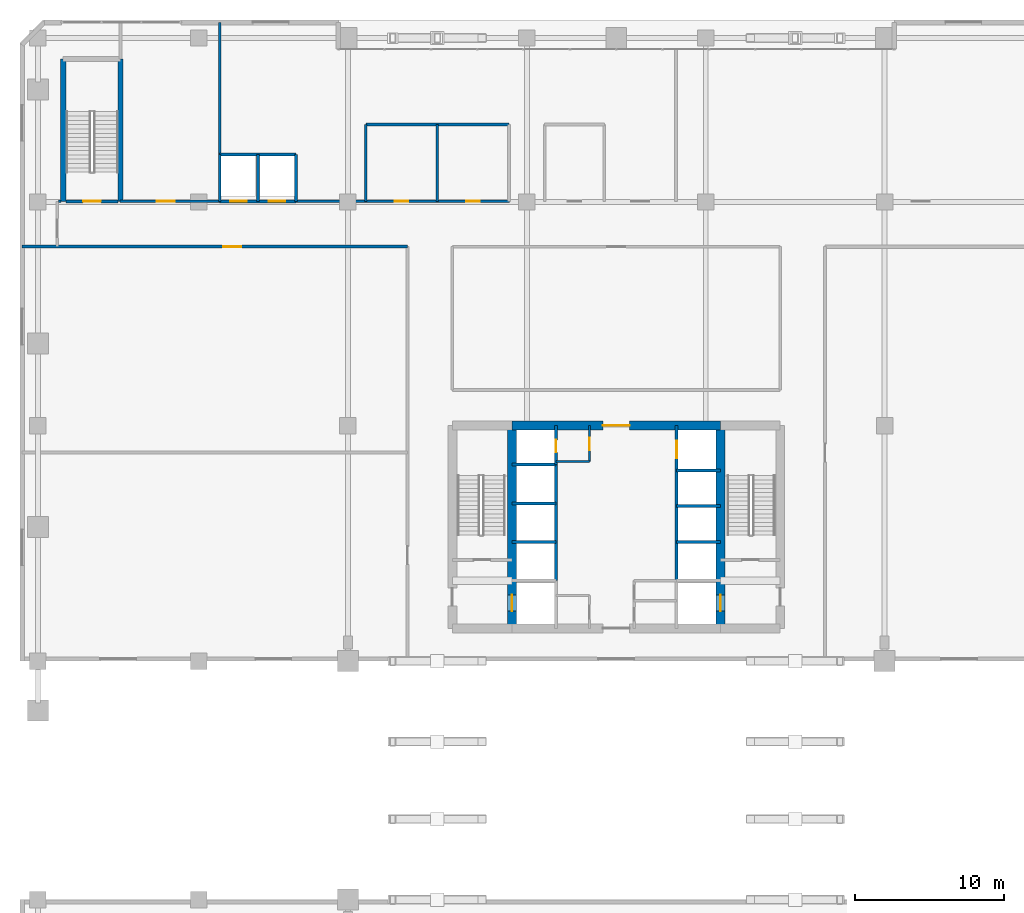
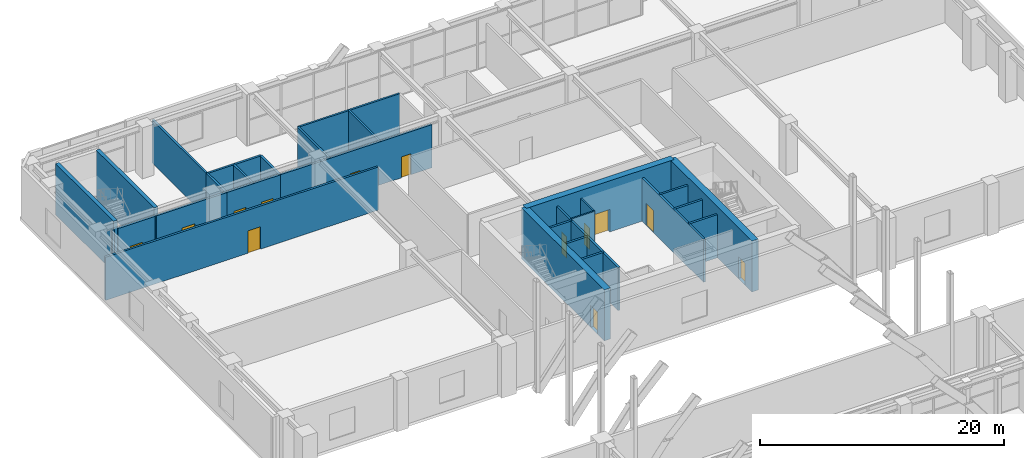
# One storey, part 23 of 28: 30 walls, 13 doors, 13 openings.
"""IFC4 building model written with IfcOpenShell, lengths in metres."""

from ifc_helpers import new_model, si_unit, direction, frame, frame_2d, origin, place, context, subcontext, project, spatial, rectangle, extrude, material, layer, layer_set, type_object, element, fill, save


model = new_model("IFC4")

# Units and contexts
model_context = context("Model", 3, precision=1e-05, world=origin(), true_north=direction((0.0, 1.0)))
body_context = subcontext(model_context, "Body", "Model", "MODEL_VIEW")
ifc_project = project(units=[si_unit("LENGTHUNIT", "METRE"), si_unit("AREAUNIT", "SQUARE_METRE"), si_unit("VOLUMEUNIT", "CUBIC_METRE"), si_unit("PLANEANGLEUNIT", "RADIAN"), si_unit("MASSUNIT", "GRAM", prefix="KILO")], contexts=[model_context])

# Site, building, storey
site_placement = place(None, origin())
site = spatial("IfcSite", under=ifc_project, at=site_placement, CompositionType="ELEMENT")
building_placement = place(site_placement, origin())
building = spatial("IfcBuilding", under=site, at=building_placement, Name="Sarneth Arch Tower", CompositionType="ELEMENT")
storey_placement = place(building_placement, frame((0.0, 0.0, 6.0)))
storey = spatial("IfcBuildingStorey", under=building, at=storey_placement, Name="L01", CompositionType="ELEMENT", Elevation=6.0)

# Walls
ifc_material_1 = material(Name="Concrete C50/60", Category="concrete")
ifc_layer_1 = layer(ifc_material_1, 0.35009765625)
ifc_layer_set_1 = layer_set([ifc_layer_1], Name="Concrete C50/60")
wall_type_1 = type_object("IfcWallType", Name="WALL-CORE-350", PredefinedType="SHEAR", material=ifc_layer_set_1)
for number, where, z_axis, x_axis, name in (
    (1, (10.89990234375, 63.85009765625, 0.0), (0.0, 0.0, 1.0), (0.0, 1.0, 0.0), "L01 Podium stair core wall STP1-W"),
    (2, (14.75, 63.85009765625, 0.0), (0.0, 0.0, 1.0), (0.0, 1.0, 0.0), "L01 Podium stair core wall STP1-E"),
):
    element("IfcWall", number, at=place(storey_placement, frame(where, z_axis=z_axis, x_axis=x_axis)), inside=storey, type_object=wall_type_1, Name=name, PredefinedType="SHEAR", context=body_context, shape_type="SweptSolid", body=[
        extrude(rectangle(XDim=9.5498046875, YDim=0.35009765625, at=frame_2d((4.77490234375, 0.0))), origin(), (0.0, 0.0, 1.0), 5.1201171875),
    ])

# Wall, opening, door
ifc_material_2 = material(Name="Concrete C60/75", Category="concrete")
ifc_layer_2 = layer(ifc_material_2, 0.60009765625)
ifc_layer_set_2 = layer_set([ifc_layer_2], Name="Concrete C60/75")
wall_type_2 = type_object("IfcWallType", Name="WALL-CORE-600", PredefinedType="SHEAR", material=ifc_layer_set_2)
wall_1_placement = place(storey_placement, frame((41.0, 48.800048828125, 0.0), z_axis=(0.0, 0.0, 1.0), x_axis=(1.0, 0.0, 0.0)))
wall_1 = element("IfcWall", 3, at=wall_1_placement, inside=storey, type_object=wall_type_2, Name="L01 Core shear wall N-M", PredefinedType="SHEAR", context=body_context, shape_type="SweptSolid", body=[
    extrude(rectangle(XDim=14.0, YDim=0.60009765625, at=frame_2d((7.0, 0.0))), origin(), (0.0, 0.0, 1.0), 5.1201171875),
])
opening_1_placement = place(wall_1_placement, frame((6.10009765625, 0.0, 0.0)))
opening_1 = element("IfcOpeningElement", 4, at=opening_1_placement, cuts=wall_1, Name="Opening FD-01", PredefinedType="OPENING", context=body_context, shape_type="SweptSolid", body=[
    extrude(rectangle(XDim=1.800048828125, YDim=2.25, at=frame_2d((0.89990234375, 1.125))), frame((0.0, 0.31005859375, 0.0), z_axis=(0.0, -1.0, 0.0), x_axis=(1.0, 0.0, 0.0)), (0.0, 0.0, 1.0), 0.6201171875),
])
ifc_material_3 = material(Name="Galvanised Steel S275 fire door set", Category="steel")
door_type_1 = type_object("IfcDoorType", Name="DR-FD90-1800", OperationType="DOUBLE_DOOR_SINGLE_SWING", PredefinedType="DOOR", material=ifc_material_3)
door_1_placement = place(opening_1_placement, origin())
door_1 = element("IfcDoor", 5, at=door_1_placement, inside=storey, type_object=door_type_1, Name="L01 Central lift lobby north door", OperationType="DOUBLE_DOOR_SINGLE_SWING", OverallHeight=2.25, OverallWidth=1.800048828125, PredefinedType="DOOR", context=body_context, shape_type="SweptSolid", body=[
    extrude(rectangle(XDim=1.800048828125, YDim=2.25, at=frame_2d((0.89990234375, 1.125))), frame((0.0, 0.02490234375, 0.0), z_axis=(0.0, -1.0, 0.0), x_axis=(1.0, 0.0, 0.0)), (0.0, 0.0, 1.0), 0.050048828125),
])
fill(opening_1, door_1)

wall_2_placement = place(storey_placement, frame((41.0, 35.199951171875, 0.0), z_axis=(0.0, 0.0, 1.0), x_axis=(0.0, 1.0, 0.0)))
wall_2 = element("IfcWall", 6, at=wall_2_placement, inside=storey, type_object=wall_type_2, Name="L01 Core shear wall WEB-W", PredefinedType="SHEAR", context=body_context, shape_type="SweptSolid", body=[
    extrude(rectangle(XDim=13.60009765625, YDim=0.60009765625, at=frame_2d((6.800048828125, 0.0))), origin(), (0.0, 0.0, 1.0), 5.1201171875),
])
opening_2_placement = place(wall_2_placement, frame((1.14990234375, 0.0, 0.0)))
opening_2 = element("IfcOpeningElement", 7, at=opening_2_placement, cuts=wall_2, Name="Opening LD-1", PredefinedType="OPENING", context=body_context, shape_type="SweptSolid", body=[
    extrude(rectangle(XDim=1.10009765625, YDim=2.199951171875, at=frame_2d((0.550048828125, 1.10009765625))), frame((0.0, 0.31005859375, 0.0), z_axis=(0.0, -1.0, 0.0), x_axis=(1.0, 0.0, 0.0)), (0.0, 0.0, 1.0), 0.6201171875),
])
ifc_material_4 = material(Name="Brushed Stainless Steel 304 lift landing door", Category="steel")
door_type_2 = type_object("IfcDoorType", Name="DR-LIFT-SLIDE-1100", OperationType="SLIDING_TO_LEFT", PredefinedType="DOOR", material=ifc_material_4)
door_2_placement = place(opening_2_placement, origin())
door_2 = element("IfcDoor", 8, at=door_2_placement, inside=storey, type_object=door_type_2, Name="L01 Firefighting lift landing door FL-1", OperationType="SLIDING_TO_LEFT", OverallHeight=2.199951171875, OverallWidth=1.10009765625, PredefinedType="DOOR", context=body_context, shape_type="SweptSolid", body=[
    extrude(rectangle(XDim=1.10009765625, YDim=2.199951171875, at=frame_2d((0.550048828125, 1.10009765625))), frame((0.0, 0.02490234375, 0.0), z_axis=(0.0, -1.0, 0.0), x_axis=(1.0, 0.0, 0.0)), (0.0, 0.0, 1.0), 0.050048828125),
])
fill(opening_2, door_2)

wall_3_placement = place(storey_placement, frame((55.0, 35.199951171875, 0.0), z_axis=(0.0, 0.0, 1.0), x_axis=(0.0, 1.0, 0.0)))
wall_3 = element("IfcWall", 9, at=wall_3_placement, inside=storey, type_object=wall_type_2, Name="L01 Core shear wall WEB-E", PredefinedType="SHEAR", context=body_context, shape_type="SweptSolid", body=[
    extrude(rectangle(XDim=13.60009765625, YDim=0.60009765625, at=frame_2d((6.800048828125, 0.0))), origin(), (0.0, 0.0, 1.0), 5.1201171875),
])
opening_3_placement = place(wall_3_placement, frame((1.14990234375, 0.0, 0.0)))
opening_3 = element("IfcOpeningElement", 10, at=opening_3_placement, cuts=wall_3, Name="Opening LD-1", PredefinedType="OPENING", context=body_context, shape_type="SweptSolid", body=[
    extrude(rectangle(XDim=1.10009765625, YDim=2.199951171875, at=frame_2d((0.550048828125, 1.10009765625))), frame((0.0, 0.31005859375, 0.0), z_axis=(0.0, -1.0, 0.0), x_axis=(1.0, 0.0, 0.0)), (0.0, 0.0, 1.0), 0.6201171875),
])
door_3_placement = place(opening_3_placement, origin())
door_3 = element("IfcDoor", 11, at=door_3_placement, inside=storey, type_object=door_type_2, Name="L01 Firefighting lift landing door FL-2", OperationType="SLIDING_TO_RIGHT", OverallHeight=2.199951171875, OverallWidth=1.10009765625, PredefinedType="DOOR", context=body_context, shape_type="SweptSolid", body=[
    extrude(rectangle(XDim=1.10009765625, YDim=2.199951171875, at=frame_2d((0.550048828125, 1.10009765625))), frame((0.0, 0.02490234375, 0.0), z_axis=(0.0, -1.0, 0.0), x_axis=(1.0, 0.0, 0.0)), (0.0, 0.0, 1.0), 0.050048828125),
])
fill(opening_3, door_3)

ifc_material_5 = material(Name="Double steel-stud corridor fire wall", Category="steel")
ifc_layer_3 = layer(ifc_material_5, 0.18994140625)
ifc_layer_set_3 = layer_set([ifc_layer_3], Name="Double steel-stud corridor fire wall")
wall_type_3 = type_object("IfcWallType", Name="WALL-CORR-190", PredefinedType="PARTITIONING", material=ifc_layer_set_3)
wall_4_placement = place(storey_placement, frame((14.718017578125, 63.85009765625, 0.0), z_axis=(0.0, 0.0, 1.0), x_axis=(1.0, 0.0, 0.0)))
wall_4 = element("IfcWall", 12, at=wall_4_placement, inside=storey, type_object=wall_type_3, Name="L01 Interior partition W-L01-TP-017", PredefinedType="PARTITIONING", context=body_context, shape_type="SweptSolid", body=[
    extrude(rectangle(XDim=6.7138671875, YDim=0.18994140625, at=frame_2d((3.35693359375, 0.0))), origin(), (0.0, 0.0, 1.0), 4.320068359375),
])
opening_4_placement = place(wall_4_placement, frame((2.45703125, 0.0, 0.0)))
opening_4 = element("IfcOpeningElement", 13, at=opening_4_placement, cuts=wall_4, Name="Opening FD-06", PredefinedType="OPENING", context=body_context, shape_type="SweptSolid", body=[
    extrude(rectangle(XDim=1.199951171875, YDim=2.25, at=frame_2d((0.60009765625, 1.125))), frame((0.0, 0.10498046875, 0.0), z_axis=(0.0, -1.0, 0.0), x_axis=(1.0, 0.0, 0.0)), (0.0, 0.0, 1.0), 0.2099609375),
])
ifc_material_6 = material(Name="Hardwood timber acoustic fire door", Category="wood")
door_type_3 = type_object("IfcDoorType", Name="DR-FD60-1200", OperationType="SINGLE_SWING_LEFT", PredefinedType="DOOR", material=ifc_material_6)
door_4_placement = place(opening_4_placement, origin())
door_4 = element("IfcDoor", 14, at=door_4_placement, inside=storey, type_object=door_type_3, Name="L01 Interior door DR-L01-STRW", OperationType="SINGLE_SWING_LEFT", OverallHeight=2.25, OverallWidth=1.199951171875, PredefinedType="DOOR", context=body_context, shape_type="SweptSolid", body=[
    extrude(rectangle(XDim=1.199951171875, YDim=2.25, at=frame_2d((0.60009765625, 1.125))), frame((0.0, 0.02490234375, 0.0), z_axis=(0.0, -1.0, 0.0), x_axis=(1.0, 0.0, 0.0)), (0.0, 0.0, 1.0), 0.050048828125),
])
fill(opening_4, door_4)

# Wall, openings, doors
wall_5_placement = place(storey_placement, frame((26.468017578125, 63.85009765625, 0.0), z_axis=(0.0, 0.0, 1.0), x_axis=(1.0, 0.0, 0.0)))
wall_5 = element("IfcWall", 15, at=wall_5_placement, inside=storey, type_object=wall_type_3, Name="L01 Interior partition W-L01-TP-010", PredefinedType="PARTITIONING", context=body_context, shape_type="SweptSolid", body=[
    extrude(rectangle(XDim=14.364013671875, YDim=0.18994140625, at=frame_2d((7.18212890625, 0.0))), origin(), (0.0, 0.0, 1.0), 4.320068359375),
])
opening_5_placement = place(wall_5_placement, frame((6.681884765625, 0.0, 0.0)))
opening_5 = element("IfcOpeningElement", 16, at=opening_5_placement, cuts=wall_5, Name="Opening ID-01", PredefinedType="OPENING", context=body_context, shape_type="SweptSolid", body=[
    extrude(rectangle(XDim=0.89990234375, YDim=2.10009765625, at=frame_2d((0.449951171875, 1.050048828125))), frame((0.0, 0.10498046875, 0.0), z_axis=(0.0, -1.0, 0.0), x_axis=(1.0, 0.0, 0.0)), (0.0, 0.0, 1.0), 0.2099609375),
])
opening_6_placement = place(wall_5_placement, frame((11.48193359375, 0.0, 0.0)))
opening_6 = element("IfcOpeningElement", 17, at=opening_6_placement, cuts=wall_5, Name="Opening ID-01", PredefinedType="OPENING", context=body_context, shape_type="SweptSolid", body=[
    extrude(rectangle(XDim=0.89990234375, YDim=2.10009765625, at=frame_2d((0.449951171875, 1.050048828125))), frame((0.0, 0.10498046875, 0.0), z_axis=(0.0, -1.0, 0.0), x_axis=(1.0, 0.0, 0.0)), (0.0, 0.0, 1.0), 0.2099609375),
])
ifc_material_7 = material(Name="Engineered hardwood flush door", Category="wood")
door_type_4 = type_object("IfcDoorType", Name="DR-INT-900", OperationType="SINGLE_SWING_LEFT", PredefinedType="DOOR", material=ifc_material_7)
door_5_placement = place(opening_5_placement, origin())
door_5 = element("IfcDoor", 18, at=door_5_placement, inside=storey, type_object=door_type_4, Name="L01 Interior door DR-L01-WCM", OperationType="SINGLE_SWING_RIGHT", OverallHeight=2.10009765625, OverallWidth=0.89990234375, PredefinedType="DOOR", context=body_context, shape_type="SweptSolid", body=[
    extrude(rectangle(XDim=0.89990234375, YDim=2.10009765625, at=frame_2d((0.449951171875, 1.050048828125))), frame((0.0, 0.02490234375, 0.0), z_axis=(0.0, -1.0, 0.0), x_axis=(1.0, 0.0, 0.0)), (0.0, 0.0, 1.0), 0.050048828125),
])
fill(opening_5, door_5)
door_6_placement = place(opening_6_placement, origin())
door_6 = element("IfcDoor", 19, at=door_6_placement, inside=storey, type_object=door_type_4, Name="L01 Interior door DR-L01-WCW", OperationType="SINGLE_SWING_LEFT", OverallHeight=2.10009765625, OverallWidth=0.89990234375, PredefinedType="DOOR", context=body_context, shape_type="SweptSolid", body=[
    extrude(rectangle(XDim=0.89990234375, YDim=2.10009765625, at=frame_2d((0.449951171875, 1.050048828125))), frame((0.0, 0.02490234375, 0.0), z_axis=(0.0, -1.0, 0.0), x_axis=(1.0, 0.0, 0.0)), (0.0, 0.0, 1.0), 0.050048828125),
])
fill(opening_6, door_6)

# Walls
wall_6_placement = place(storey_placement, frame((10.580078125, 63.85009765625, 0.0), z_axis=(0.0, 0.0, 1.0), x_axis=(1.0, 0.0, 0.0)))
element("IfcWall", 20, at=wall_6_placement, inside=storey, type_object=wall_type_3, Name="L01 Interior partition W-L01-TP-019", PredefinedType="PARTITIONING", context=body_context, shape_type="SweptSolid", body=[
    extrude(rectangle(XDim=0.159912109375, YDim=0.18994140625, at=frame_2d((0.080078125, 0.0))), origin(), (0.0, 0.0, 1.0), 4.320068359375),
])
ifc_material_8 = material(Name="Acoustic gypsum stud partition", Category="gypsum")
ifc_layer_4 = layer(ifc_material_8, 0.14990234375)
ifc_layer_set_4 = layer_set([ifc_layer_4], Name="Acoustic gypsum stud partition")
wall_type_4 = type_object("IfcWallType", Name="WALL-PART-150", PredefinedType="PARTITIONING", material=ifc_layer_set_4)
wall_7_placement = place(storey_placement, frame((43.949951171875, 46.39990234375, 0.0), z_axis=(0.0, 0.0, 1.0), x_axis=(1.0, 0.0, 0.0)))
element("IfcWall", 21, at=wall_7_placement, inside=storey, type_object=wall_type_4, Name="L01 Interior partition W-L01-CSUP2-S", PredefinedType="PARTITIONING", context=body_context, shape_type="SweptSolid", body=[
    extrude(rectangle(XDim=2.25, YDim=0.14990234375, at=frame_2d((1.125, 0.0))), origin(), (0.0, 0.0, 1.0), 4.320068359375),
])

# Wall, opening, door
wall_8_placement = place(storey_placement, frame((46.199951171875, 46.39990234375, 0.0), z_axis=(0.0, 0.0, 1.0), x_axis=(0.0, 1.0, 0.0)))
wall_8 = element("IfcWall", 22, at=wall_8_placement, inside=storey, type_object=wall_type_4, Name="L01 Interior partition W-L01-CSUP2-E", PredefinedType="PARTITIONING", context=body_context, shape_type="SweptSolid", body=[
    extrude(rectangle(XDim=2.400146484375, YDim=0.14990234375, at=frame_2d((1.2001953125, 0.0))), origin(), (0.0, 0.0, 1.0), 4.320068359375),
])
opening_7_placement = place(wall_8_placement, frame((0.75, 0.0, 0.0)))
opening_7 = element("IfcOpeningElement", 23, at=opening_7_placement, cuts=wall_8, Name="Opening FD-11", PredefinedType="OPENING", context=body_context, shape_type="SweptSolid", body=[
    extrude(rectangle(XDim=0.85009765625, YDim=2.14990234375, at=frame_2d((0.425048828125, 1.074951171875))), frame((0.0, 0.0849609375, 0.0), z_axis=(0.0, -1.0, 0.0), x_axis=(1.0, 0.0, 0.0)), (0.0, 0.0, 1.0), 0.169921875),
])
ifc_material_9 = material(Name="Galvanised Steel S275 closet fire door", Category="steel")
door_type_5 = type_object("IfcDoorType", Name="DR-FD60-850", OperationType="SINGLE_SWING_LEFT", PredefinedType="DOOR", material=ifc_material_9)
door_7_placement = place(opening_7_placement, origin())
door_7 = element("IfcDoor", 24, at=door_7_placement, inside=storey, type_object=door_type_5, Name="L01 Interior door DR-L01-CSUP2", OperationType="SINGLE_SWING_RIGHT", OverallHeight=2.14990234375, OverallWidth=0.85009765625, PredefinedType="DOOR", context=body_context, shape_type="SweptSolid", body=[
    extrude(rectangle(XDim=0.85009765625, YDim=2.14990234375, at=frame_2d((0.425048828125, 1.074951171875))), frame((0.0, 0.02490234375, 0.0), z_axis=(0.0, -1.0, 0.0), x_axis=(1.0, 0.0, 0.0)), (0.0, 0.0, 1.0), 0.050048828125),
])
fill(opening_7, door_7)

# Walls
ifc_material_10 = material(Name="Moisture-resistant plumbing chase wall", Category="gypsum")
ifc_layer_5 = layer(ifc_material_10, 0.179931640625)
ifc_layer_set_5 = layer_set([ifc_layer_5], Name="Moisture-resistant plumbing chase wall")
wall_type_5 = type_object("IfcWallType", Name="WALL-PLUMB-180", PredefinedType="PLUMBINGWALL", material=ifc_layer_set_5)
for number, where, z_axis, x_axis, name in (
    (25, (36.0, 69.0, 0.0), (0.0, 0.0, 1.0), (0.0, -1.0, 0.0), "L01 Interior partition W-L01-TP-024"),
    (26, (31.199951171875, 63.85009765625, 0.0), (0.0, 0.0, 1.0), (0.0, 1.0, 0.0), "L01 Interior partition W-L01-TP-025"),
):
    element("IfcWall", number, at=place(storey_placement, frame(where, z_axis=z_axis, x_axis=x_axis)), inside=storey, type_object=wall_type_5, Name=name, PredefinedType="PLUMBINGWALL", context=body_context, shape_type="SweptSolid", body=[
        extrude(rectangle(XDim=5.14990234375, YDim=0.179931640625, at=frame_2d((2.574951171875, 0.0))), origin(), (0.0, 0.0, 1.0), 4.320068359375),
    ])
wall_9_placement = place(storey_placement, frame((31.199951171875, 69.0, 0.0), z_axis=(0.0, 0.0, 1.0), x_axis=(1.0, 0.0, 0.0)))
element("IfcWall", 27, at=wall_9_placement, inside=storey, type_object=wall_type_5, Name="L01 Interior partition W-L01-TP-026", PredefinedType="PLUMBINGWALL", context=body_context, shape_type="SweptSolid", body=[
    extrude(rectangle(XDim=9.60009765625, YDim=0.179931640625, at=frame_2d((4.800048828125, 0.0))), origin(), (0.0, 0.0, 1.0), 4.320068359375),
])
ifc_material_11 = material(Name="Aerated concrete blockwork C25/30", Category="masonry")
ifc_layer_6 = layer(ifc_material_11, 0.199951171875)
ifc_layer_set_6 = layer_set([ifc_layer_6], Name="Aerated concrete blockwork C25/30")
wall_type_6 = type_object("IfcWallType", Name="WALL-SHAFT-200", PredefinedType="SOLIDWALL", material=ifc_layer_set_6)
wall_10_placement = place(storey_placement, frame((41.0, 46.199951171875, 0.0), z_axis=(0.0, 0.0, 1.0), x_axis=(1.0, 0.0, 0.0)))
element("IfcWall", 28, at=wall_10_placement, inside=storey, type_object=wall_type_6, Name="L01 Interior partition W-L01-RISER-S", PredefinedType="SOLIDWALL", context=body_context, shape_type="SweptSolid", body=[
    extrude(rectangle(XDim=2.949951171875, YDim=0.199951171875, at=frame_2d((1.47509765625, 0.0))), origin(), (0.0, 0.0, 1.0), 4.320068359375),
])

# Wall, opening, door
wall_11_placement = place(storey_placement, frame((43.949951171875, 46.199951171875, 0.0), z_axis=(0.0, 0.0, 1.0), x_axis=(0.0, 1.0, 0.0)))
wall_11 = element("IfcWall", 29, at=wall_11_placement, inside=storey, type_object=wall_type_6, Name="L01 Interior partition W-L01-RISER-E", PredefinedType="SOLIDWALL", context=body_context, shape_type="SweptSolid", body=[
    extrude(rectangle(XDim=2.60009765625, YDim=0.199951171875, at=frame_2d((1.300048828125, 0.0))), origin(), (0.0, 0.0, 1.0), 4.320068359375),
])
opening_8_placement = place(wall_11_placement, frame((0.800048828125, 0.0, 0.0)))
opening_8 = element("IfcOpeningElement", 30, at=opening_8_placement, cuts=wall_11, Name="Opening FD-11", PredefinedType="OPENING", context=body_context, shape_type="SweptSolid", body=[
    extrude(rectangle(XDim=0.85009765625, YDim=2.14990234375, at=frame_2d((0.425048828125, 1.074951171875))), frame((0.0, 0.10986328125, 0.0), z_axis=(0.0, -1.0, 0.0), x_axis=(1.0, 0.0, 0.0)), (0.0, 0.0, 1.0), 0.219970703125),
])
door_8_placement = place(opening_8_placement, origin())
door_8 = element("IfcDoor", 31, at=door_8_placement, inside=storey, type_object=door_type_5, Name="L01 Lift landing door DR-L01-RISER", OperationType="SINGLE_SWING_LEFT", OverallHeight=2.14990234375, OverallWidth=0.85009765625, PredefinedType="DOOR", context=body_context, shape_type="SweptSolid", body=[
    extrude(rectangle(XDim=0.85009765625, YDim=2.14990234375, at=frame_2d((0.425048828125, 1.074951171875))), frame((0.0, 0.02490234375, 0.0), z_axis=(0.0, -1.0, 0.0), x_axis=(1.0, 0.0, 0.0)), (0.0, 0.0, 1.0), 0.050048828125),
])
fill(opening_8, door_8)

# Walls
wall_12_placement = place(storey_placement, frame((43.949951171875, 38.39990234375, 0.0), z_axis=(0.0, 0.0, 1.0), x_axis=(0.0, 1.0, 0.0)))
element("IfcWall", 32, at=wall_12_placement, inside=storey, type_object=wall_type_6, Name="L01 Interior partition W-L01-WESTBANK-FRONT", PredefinedType="SOLIDWALL", context=body_context, shape_type="SweptSolid", body=[
    extrude(rectangle(XDim=7.800048828125, YDim=0.199951171875, at=frame_2d((3.89990234375, 0.0))), origin(), (0.0, 0.0, 1.0), 4.320068359375),
])
for number, where, z_axis, x_axis, name in (
    (33, (41.0, 40.97998046875, 0.0), (0.0, 0.0, 1.0), (1.0, 0.0, 0.0), "L01 Interior partition W-L01-WB-DIV-4098"),
    (34, (41.0, 43.580078125, 0.0), (0.0, 0.0, 1.0), (1.0, 0.0, 0.0), "L01 Interior partition W-L01-WB-DIV-4358"),
):
    element("IfcWall", number, at=place(storey_placement, frame(where, z_axis=z_axis, x_axis=x_axis)), inside=storey, type_object=wall_type_6, Name=name, PredefinedType="SOLIDWALL", context=body_context, shape_type="SweptSolid", body=[
        extrude(rectangle(XDim=2.949951171875, YDim=0.199951171875, at=frame_2d((1.47509765625, 0.0))), origin(), (0.0, 0.0, 1.0), 4.320068359375),
    ])

# Wall, opening, door
wall_13_placement = place(storey_placement, frame((52.050048828125, 38.39990234375, 0.0), z_axis=(0.0, 0.0, 1.0), x_axis=(0.0, 1.0, 0.0)))
wall_13 = element("IfcWall", 35, at=wall_13_placement, inside=storey, type_object=wall_type_6, Name="L01 Interior partition W-L01-EASTBANK-FRONT", PredefinedType="SOLIDWALL", context=body_context, shape_type="SweptSolid", body=[
    extrude(rectangle(XDim=10.400146484375, YDim=0.199951171875, at=frame_2d((5.2001953125, 0.0))), origin(), (0.0, 0.0, 1.0), 4.320068359375),
])
opening_9_placement = place(wall_13_placement, frame((8.199951171875, 0.0, 0.0)))
opening_9 = element("IfcOpeningElement", 36, at=opening_9_placement, cuts=wall_13, Name="Opening LD-2", PredefinedType="OPENING", context=body_context, shape_type="SweptSolid", body=[
    extrude(rectangle(XDim=1.199951171875, YDim=2.199951171875, at=frame_2d((0.60009765625, 1.10009765625))), frame((0.0, 0.10986328125, 0.0), z_axis=(0.0, -1.0, 0.0), x_axis=(1.0, 0.0, 0.0)), (0.0, 0.0, 1.0), 0.219970703125),
])
ifc_material_12 = material(Name="Brushed Stainless Steel 304 service lift door", Category="steel")
door_type_6 = type_object("IfcDoorType", Name="DR-LIFT-SLIDE-1200", OperationType="SLIDING_TO_RIGHT", PredefinedType="DOOR", material=ifc_material_12)
door_9_placement = place(opening_9_placement, origin())
door_9 = element("IfcDoor", 37, at=door_9_placement, inside=storey, type_object=door_type_6, Name="L01 Lift landing door DR-L01-LD-SL1", OperationType="SLIDING_TO_RIGHT", OverallHeight=2.199951171875, OverallWidth=1.199951171875, PredefinedType="DOOR", context=body_context, shape_type="SweptSolid", body=[
    extrude(rectangle(XDim=1.199951171875, YDim=2.199951171875, at=frame_2d((0.60009765625, 1.10009765625))), frame((0.0, 0.02490234375, 0.0), z_axis=(0.0, -1.0, 0.0), x_axis=(1.0, 0.0, 0.0)), (0.0, 0.0, 1.0), 0.050048828125),
])
fill(opening_9, door_9)

# Walls
for number, where, z_axis, x_axis, name in (
    (38, (52.050048828125, 40.97998046875, 0.0), (0.0, 0.0, 1.0), (1.0, 0.0, 0.0), "L01 Interior partition W-L01-EB-DIV-4098"),
    (39, (52.050048828125, 43.419921875, 0.0), (0.0, 0.0, 1.0), (1.0, 0.0, 0.0), "L01 Interior partition W-L01-EB-DIV-4342"),
    (40, (52.050048828125, 45.800048828125, 0.0), (0.0, 0.0, 1.0), (1.0, 0.0, 0.0), "L01 Interior partition W-L01-EB-DIV-4580"),
):
    element("IfcWall", number, at=place(storey_placement, frame(where, z_axis=z_axis, x_axis=x_axis)), inside=storey, type_object=wall_type_6, Name=name, PredefinedType="SOLIDWALL", context=body_context, shape_type="SweptSolid", body=[
        extrude(rectangle(XDim=2.949951171875, YDim=0.199951171875, at=frame_2d((1.47509765625, 0.0))), origin(), (0.0, 0.0, 1.0), 4.320068359375),
    ])

# Wall, opening, door
wall_14_placement = place(storey_placement, frame((11.080078125, 63.85009765625, 0.0), z_axis=(0.0, 0.0, 1.0), x_axis=(1.0, 0.0, 0.0)))
wall_14 = element("IfcWall", 41, at=wall_14_placement, inside=storey, type_object=wall_type_6, Name="L01 Interior partition W-L01-STP1-S", PredefinedType="SOLIDWALL", context=body_context, shape_type="SweptSolid", body=[
    extrude(rectangle(XDim=3.489990234375, YDim=0.199951171875, at=frame_2d((1.7451171875, 0.0))), origin(), (0.0, 0.0, 1.0), 4.320068359375),
])
opening_10_placement = place(wall_14_placement, frame((1.14990234375, 0.0, 0.0)))
opening_10 = element("IfcOpeningElement", 42, at=opening_10_placement, cuts=wall_14, Name="Opening FD-02", PredefinedType="OPENING", context=body_context, shape_type="SweptSolid", body=[
    extrude(rectangle(XDim=1.199951171875, YDim=2.14990234375, at=frame_2d((0.60009765625, 1.074951171875))), frame((0.0, 0.10986328125, 0.0), z_axis=(0.0, -1.0, 0.0), x_axis=(1.0, 0.0, 0.0)), (0.0, 0.0, 1.0), 0.219970703125),
])
ifc_material_13 = material(Name="Galvanised Steel S275 fire door set", Category="steel")
door_type_7 = type_object("IfcDoorType", Name="DR-FD90-1200", OperationType="SINGLE_SWING_LEFT", PredefinedType="DOOR", material=ifc_material_13)
door_10_placement = place(opening_10_placement, origin())
door_10 = element("IfcDoor", 43, at=door_10_placement, inside=storey, type_object=door_type_7, Name="L01 Interior door DR-L01-STP1", OperationType="SINGLE_SWING_LEFT", OverallHeight=2.14990234375, OverallWidth=1.199951171875, PredefinedType="DOOR", context=body_context, shape_type="SweptSolid", body=[
    extrude(rectangle(XDim=1.199951171875, YDim=2.14990234375, at=frame_2d((0.60009765625, 1.074951171875))), frame((0.0, 0.02490234375, 0.0), z_axis=(0.0, -1.0, 0.0), x_axis=(1.0, 0.0, 0.0)), (0.0, 0.0, 1.0), 0.050048828125),
])
fill(opening_10, door_10)

# Walls
for number, where, z_axis, x_axis, name in (
    (44, (21.39990234375, 63.85009765625, 0.0), (0.0, 0.0, 1.0), (0.0, 1.0, 0.0), "L01 Interior partition W-L01-PP-W"),
    (45, (26.5, 63.85009765625, 0.0), (0.0, 0.0, 1.0), (0.0, 1.0, 0.0), "L01 Interior partition W-L01-PP-E"),
):
    element("IfcWall", number, at=place(storey_placement, frame(where, z_axis=z_axis, x_axis=x_axis)), inside=storey, type_object=wall_type_6, Name=name, PredefinedType="SOLIDWALL", context=body_context, shape_type="SweptSolid", body=[
        extrude(rectangle(XDim=3.14990234375, YDim=0.199951171875, at=frame_2d((1.574951171875, 0.0))), origin(), (0.0, 0.0, 1.0), 4.320068359375),
    ])
wall_15_placement = place(storey_placement, frame((21.39990234375, 67.0, 0.0), z_axis=(0.0, 0.0, 1.0), x_axis=(1.0, 0.0, 0.0)))
element("IfcWall", 46, at=wall_15_placement, inside=storey, type_object=wall_type_6, Name="L01 Interior partition W-L01-PP-N", PredefinedType="SOLIDWALL", context=body_context, shape_type="SweptSolid", body=[
    extrude(rectangle(XDim=5.10009765625, YDim=0.199951171875, at=frame_2d((2.550048828125, 0.0))), origin(), (0.0, 0.0, 1.0), 4.320068359375),
])
wall_16_placement = place(storey_placement, frame((23.949951171875, 63.85009765625, 0.0), z_axis=(0.0, 0.0, 1.0), x_axis=(0.0, 1.0, 0.0)))
element("IfcWall", 47, at=wall_16_placement, inside=storey, type_object=wall_type_6, Name="L01 Interior partition W-L01-PP-M", PredefinedType="SOLIDWALL", context=body_context, shape_type="SweptSolid", body=[
    extrude(rectangle(XDim=3.14990234375, YDim=0.199951171875, at=frame_2d((1.574951171875, 0.0))), origin(), (0.0, 0.0, 1.0), 4.320068359375),
])

# Wall, openings, doors
wall_17_placement = place(storey_placement, frame((21.39990234375, 63.85009765625, 0.0), z_axis=(0.0, 0.0, 1.0), x_axis=(1.0, 0.0, 0.0)))
wall_17 = element("IfcWall", 48, at=wall_17_placement, inside=storey, type_object=wall_type_6, Name="L01 Interior partition W-L01-PP-S", PredefinedType="SOLIDWALL", context=body_context, shape_type="SweptSolid", body=[
    extrude(rectangle(XDim=5.10009765625, YDim=0.199951171875, at=frame_2d((2.550048828125, 0.0))), origin(), (0.0, 0.0, 1.0), 4.320068359375),
])
opening_11_placement = place(wall_17_placement, frame((0.699951171875, 0.0, 0.0)))
opening_11 = element("IfcOpeningElement", 49, at=opening_11_placement, cuts=wall_17, Name="Opening LD-1", PredefinedType="OPENING", context=body_context, shape_type="SweptSolid", body=[
    extrude(rectangle(XDim=1.10009765625, YDim=2.199951171875, at=frame_2d((0.550048828125, 1.10009765625))), frame((0.0, 0.10986328125, 0.0), z_axis=(0.0, -1.0, 0.0), x_axis=(1.0, 0.0, 0.0)), (0.0, 0.0, 1.0), 0.219970703125),
])
opening_12_placement = place(wall_17_placement, frame((3.300048828125, 0.0, 0.0)))
opening_12 = element("IfcOpeningElement", 50, at=opening_12_placement, cuts=wall_17, Name="Opening LD-1", PredefinedType="OPENING", context=body_context, shape_type="SweptSolid", body=[
    extrude(rectangle(XDim=1.10009765625, YDim=2.199951171875, at=frame_2d((0.550048828125, 1.10009765625))), frame((0.0, 0.10986328125, 0.0), z_axis=(0.0, -1.0, 0.0), x_axis=(1.0, 0.0, 0.0)), (0.0, 0.0, 1.0), 0.219970703125),
])
door_11_placement = place(opening_11_placement, origin())
door_11 = element("IfcDoor", 51, at=door_11_placement, inside=storey, type_object=door_type_2, Name="L01 Lift landing door DR-L01-LD-PP1", OperationType="SLIDING_TO_LEFT", OverallHeight=2.199951171875, OverallWidth=1.10009765625, PredefinedType="DOOR", context=body_context, shape_type="SweptSolid", body=[
    extrude(rectangle(XDim=1.10009765625, YDim=2.199951171875, at=frame_2d((0.550048828125, 1.10009765625))), frame((0.0, 0.02490234375, 0.0), z_axis=(0.0, -1.0, 0.0), x_axis=(1.0, 0.0, 0.0)), (0.0, 0.0, 1.0), 0.050048828125),
])
fill(opening_11, door_11)
door_12_placement = place(opening_12_placement, origin())
door_12 = element("IfcDoor", 52, at=door_12_placement, inside=storey, type_object=door_type_2, Name="L01 Lift landing door DR-L01-LD-PP2", OperationType="SLIDING_TO_RIGHT", OverallHeight=2.199951171875, OverallWidth=1.10009765625, PredefinedType="DOOR", context=body_context, shape_type="SweptSolid", body=[
    extrude(rectangle(XDim=1.10009765625, YDim=2.199951171875, at=frame_2d((0.550048828125, 1.10009765625))), frame((0.0, 0.02490234375, 0.0), z_axis=(0.0, -1.0, 0.0), x_axis=(1.0, 0.0, 0.0)), (0.0, 0.0, 1.0), 0.050048828125),
])
fill(opening_12, door_12)

# Wall, opening, door
ifc_material_14 = material(Name="Double steel-stud acoustic drywall", Category="steel")
ifc_layer_7 = layer(ifc_material_14, 0.199951171875)
ifc_layer_set_7 = layer_set([ifc_layer_7], Name="Double steel-stud acoustic drywall")
wall_type_7 = type_object("IfcWallType", Name="WALL-UNIT-200", PredefinedType="PARTITIONING", material=ifc_layer_set_7)
wall_18_placement = place(storey_placement, frame((34.0, 60.800048828125, 0.0), z_axis=(0.0, 0.0, 1.0), x_axis=(-1.0, 0.0, 0.0)))
wall_18 = element("IfcWall", 53, at=wall_18_placement, inside=storey, type_object=wall_type_7, Name="L01 Interior partition W-L01-TP-003", PredefinedType="PARTITIONING", context=body_context, shape_type="SweptSolid", body=[
    extrude(rectangle(XDim=25.85009765625, YDim=0.199951171875, at=frame_2d((12.925048828125, 0.0))), origin(), (0.0, 0.0, 1.0), 4.320068359375),
])
opening_13_placement = place(wall_18_placement, frame((11.14990234375, 0.0, 0.0)))
opening_13 = element("IfcOpeningElement", 54, at=opening_13_placement, cuts=wall_18, Name="Opening FD-06", PredefinedType="OPENING", context=body_context, shape_type="SweptSolid", body=[
    extrude(rectangle(XDim=1.199951171875, YDim=2.25, at=frame_2d((0.60009765625, 1.125))), frame((0.0, 0.10986328125, 0.0), z_axis=(0.0, -1.0, 0.0), x_axis=(1.0, 0.0, 0.0)), (0.0, 0.0, 1.0), 0.219970703125),
])
door_13_placement = place(opening_13_placement, origin())
door_13 = element("IfcDoor", 55, at=door_13_placement, inside=storey, type_object=door_type_3, Name="L01 Interior door DR-L01-RET2", OperationType="SINGLE_SWING_RIGHT", OverallHeight=2.25, OverallWidth=1.199951171875, PredefinedType="DOOR", context=body_context, shape_type="SweptSolid", body=[
    extrude(rectangle(XDim=1.199951171875, YDim=2.25, at=frame_2d((0.60009765625, 1.125))), frame((0.0, 0.02490234375, 0.0), z_axis=(0.0, -1.0, 0.0), x_axis=(1.0, 0.0, 0.0)), (0.0, 0.0, 1.0), 0.050048828125),
])
fill(opening_13, door_13)

# Wall
wall_19_placement = place(storey_placement, frame((21.39990234375, 67.0, 0.0), z_axis=(0.0, 0.0, 1.0), x_axis=(0.0, 1.0, 0.0)))
element("IfcWall", 56, at=wall_19_placement, inside=storey, type_object=wall_type_7, Name="L01 Interior partition W-L01-TP-033", PredefinedType="PARTITIONING", context=body_context, shape_type="SweptSolid", body=[
    extrude(rectangle(XDim=8.85009765625, YDim=0.199951171875, at=frame_2d((4.425048828125, 0.0))), origin(), (0.0, 0.0, 1.0), 4.320068359375),
])

save(model, "model.ifc")
